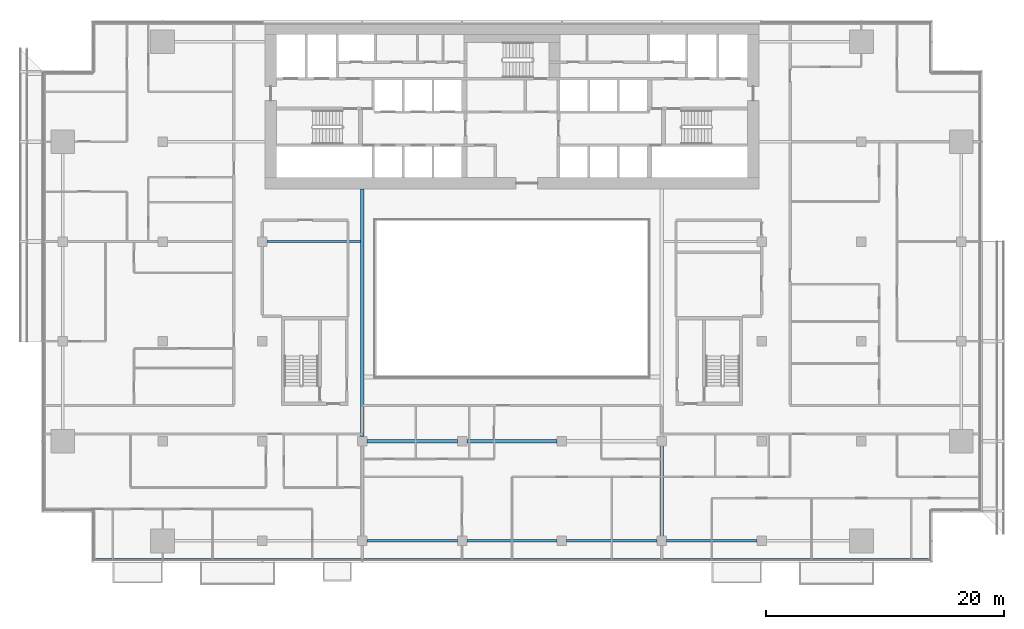
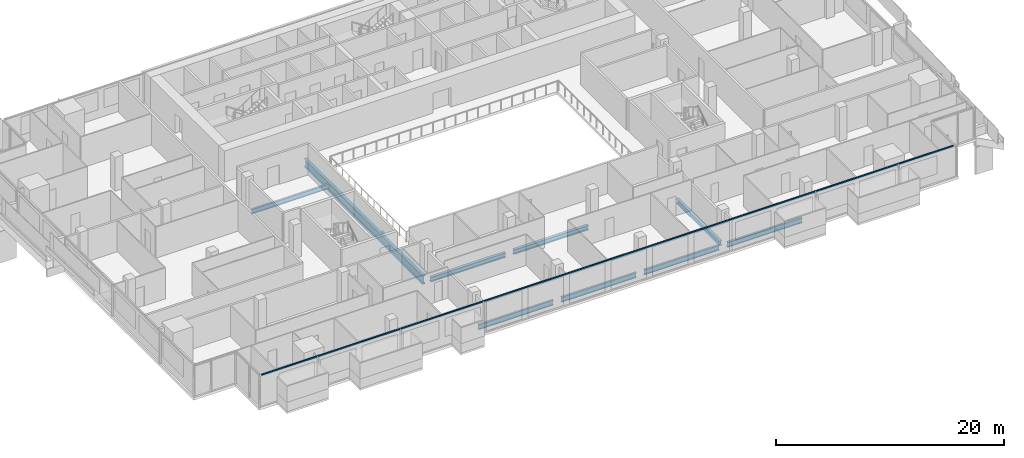
# One storey, part 5 of 27: 9 beams, 1 member, 1 element without a shape of its own.
"""IFC4 building model written with IfcOpenShell, lengths in metres."""

import ifcopenshell
import ifcopenshell.guid

model = None  # the IFC model being written
_history = None  # IfcOwnerHistory: only IFC2X3 demands one
_inside = {}  # id of a spatial element -> (the spatial element, [elements in it])
_under = {}  # id of a project, library or spatial element -> (it, [spatial elements below it])
_declared = {}  # id of a project -> (the project, [libraries it declares])
_typed = {}  # id of a type object -> (the type object, [elements of that type])
_made_of = {}  # id of a material, layer set ... -> (it, [elements and type objects made of it])


def new_model(schema):
    """Start an empty IFC model of exactly this schema.

    Asked for "IFC4X3", IfcOpenShell would pick the latest addendum, in which some entities
    have other attributes; the version numbers below select the first issue.
    IFC2X3 requires an IfcOwnerHistory on every rooted entity: one is made here for all.
    """
    global model, _history
    if schema == "IFC4X3":
        model = ifcopenshell.file(schema_version=(4, 3, 0, 0))
    else:
        model = ifcopenshell.file(schema=schema)
    _inside.clear()
    _under.clear()
    _declared.clear()
    _typed.clear()
    _made_of.clear()
    _history = None
    if model.schema == "IFC2X3":
        org = make("IfcOrganization", Name="unknown")
        user = make(
            "IfcPersonAndOrganization",
            ThePerson=make("IfcPerson", FamilyName="unknown"),
            TheOrganization=org,
        )
        app = make(
            "IfcApplication",
            ApplicationDeveloper=org,
            Version="unknown",
            ApplicationFullName="unknown",
            ApplicationIdentifier="unknown",
        )
        _history = make(
            "IfcOwnerHistory",
            OwningUser=user,
            OwningApplication=app,
            ChangeAction="ADDED",
            CreationDate=0,
        )
    return model


def make(cls, **values):
    """One entity of the class cls with the attributes given. An attribute that is None is left unset."""
    return model.create_entity(
        cls, **{name: value for name, value in values.items() if value is not None}
    )


def rooted(cls, **values):
    """An entity with a GlobalId (a new one), such as an element, a storey or a relation."""
    return make(cls, GlobalId=ifcopenshell.guid.new(), OwnerHistory=_history, **values)


def si_unit(unit_type, name, prefix=None):
    """IfcSIUnit, for example si_unit("LENGTHUNIT", "METRE", prefix="MILLI")."""
    return make("IfcSIUnit", UnitType=unit_type, Prefix=prefix, Name=name)


def assignment(units):
    """IfcUnitAssignment: the units of a project."""
    return None if units is None else make("IfcUnitAssignment", Units=units)


def point(xyz):
    """IfcCartesianPoint."""
    return None if xyz is None else make("IfcCartesianPoint", Coordinates=xyz)


def direction(xyz):
    """IfcDirection."""
    return None if xyz is None else make("IfcDirection", DirectionRatios=xyz)


def frame(location, z_axis=None, x_axis=None):
    """IfcAxis2Placement3D, a coordinate frame: its origin and axes. An axis left out is left unset."""
    return make(
        "IfcAxis2Placement3D",
        Location=point(location),
        Axis=direction(z_axis),
        RefDirection=direction(x_axis),
    )


def frame_2d(location, x_axis=None):
    """IfcAxis2Placement2D, a coordinate frame in the plane: its origin and x axis."""
    return make(
        "IfcAxis2Placement2D", Location=point(location), RefDirection=direction(x_axis)
    )


def origin():
    """The frame at (0, 0, 0) with its axes left unset."""
    return frame((0.0, 0.0, 0.0))


def origin_2d():
    """The frame at (0, 0) in the plane with its x axis left unset."""
    return frame_2d((0.0, 0.0))


def place(relative_to, where):
    """IfcLocalPlacement: puts the frame where relative to a parent placement (None: the world)."""
    return make(
        "IfcLocalPlacement", PlacementRelTo=relative_to, RelativePlacement=where
    )


def context(
    kind, dimensions, precision=None, world=None, true_north=None, identifier=None
):
    """IfcGeometricRepresentationContext, for example the 3D "Model" context."""
    return make(
        "IfcGeometricRepresentationContext",
        ContextIdentifier=identifier,
        ContextType=kind,
        CoordinateSpaceDimension=dimensions,
        Precision=precision,
        WorldCoordinateSystem=world,
        TrueNorth=true_north,
    )


def subcontext(parent, identifier, kind, view, scale=None):
    """IfcGeometricRepresentationSubContext, for example "Body" below "Model"."""
    return make(
        "IfcGeometricRepresentationSubContext",
        ContextIdentifier=identifier,
        ContextType=kind,
        ParentContext=parent,
        TargetScale=scale,
        TargetView=view,
    )


def project(units=None, contexts=None):
    """IfcProject with its units and contexts."""
    return rooted(
        "IfcProject",
        Name="project",
        RepresentationContexts=contexts,
        UnitsInContext=assignment(units),
    )


def spatial(cls, under=None, at=None, **own):
    """A site, building, storey or space (cls), placed at a placement, below another one or the project."""
    s = rooted(cls, ObjectPlacement=at, **own)
    if under is not None:
        _under.setdefault(under.id(), (under, []))[1].append(s)
    return s


def profile(cls, at=None, kind="AREA", **sizes):
    """A parametric profile (cls). Its sizes go by their IFC names, for example OverallWidth=200.0."""
    return make(cls, ProfileType=kind, Position=at, **sizes)


def rectangle(**sizes):
    """IfcRectangleProfileDef."""
    return profile("IfcRectangleProfileDef", **sizes)


def i_section(**sizes):
    """IfcIShapeProfileDef."""
    return profile("IfcIShapeProfileDef", **sizes)


def extrude(swept, where, along, depth):
    """IfcExtrudedAreaSolid: the profile swept, set in the frame where, extruded along a direction by depth."""
    return make(
        "IfcExtrudedAreaSolid",
        SweptArea=swept,
        Position=where,
        ExtrudedDirection=direction(along),
        Depth=depth,
    )


def shape(context_of_items, identifier, shape_type, items):
    """IfcShapeRepresentation: the items that make up one representation, for example the "Body"."""
    return make(
        "IfcShapeRepresentation",
        ContextOfItems=context_of_items,
        RepresentationIdentifier=identifier,
        RepresentationType=shape_type,
        Items=items,
    )


def material(Name=None, Category=None):
    """IfcMaterial."""
    return make("IfcMaterial", Name=Name, Category=Category)


def material_profile(
    of_material, cross_section, Name=None, Category=None, Priority=None
):
    """IfcMaterialProfile: a cross section and its material."""
    return make(
        "IfcMaterialProfile",
        Name=Name,
        Material=of_material,
        Profile=cross_section,
        Priority=Priority,
        Category=Category,
    )


def profile_set(profiles, Name=None, composite=None):
    """IfcMaterialProfileSet."""
    return make(
        "IfcMaterialProfileSet",
        Name=Name,
        MaterialProfiles=profiles,
        CompositeProfile=composite,
    )


def made_of(thing, what):
    """Note that an element or type object is made of a material, layer set ...; save() writes the relation."""
    if what is not None:
        _made_of.setdefault(what.id(), (what, []))[1].append(thing)
    return thing


def type_object(cls, material=None, **own):
    """A type object (cls), such as IfcWallType, which elements share."""
    return made_of(rooted(cls, **own), material)


def element(
    cls,
    number,
    at=None,
    inside=None,
    cuts=None,
    type_object=None,
    material=None,
    context=None,
    identifier="Body",
    shape_type=None,
    held_by="IfcProductDefinitionShape",
    body=None,
    shapes=None,
    **own,
):
    """One element of the class cls, such as IfcWall. Its Tag is "e" and its number.

    at: its placement. inside: the storey or other place that contains it. cuts: it is an
    opening in that element (IfcRelVoidsElement). A single representation is given by context,
    identifier, shape_type and body (its items); several are given by shapes. held_by: the class
    of the entity that holds the representations. save() writes the other relations.
    """
    e = rooted(cls, Tag="e%d" % number, ObjectPlacement=at, **own)
    if body is not None:
        shapes = [shape(context, identifier, shape_type, body)]
    if shapes is not None:
        e.Representation = make(held_by, Representations=shapes)
    if inside is not None:
        _inside.setdefault(inside.id(), (inside, []))[1].append(e)
    if cuts is not None:
        rooted(
            "IfcRelVoidsElement", RelatingBuildingElement=cuts, RelatedOpeningElement=e
        )
    if type_object is not None:
        _typed.setdefault(type_object.id(), (type_object, []))[1].append(e)
    return made_of(e, material)


def aggregate(whole, parts):
    """IfcRelAggregates: a whole, such as a stair, and the parts it consists of."""
    return rooted("IfcRelAggregates", RelatingObject=whole, RelatedObjects=parts)


def save(model, path):
    """Write the relations noted so far, then the file.

    IfcRelAggregates (storeys below a building ...), IfcRelContainedInSpatialStructure (elements
    in a storey), IfcRelDefinesByType, IfcRelAssociatesMaterial and IfcRelDeclares: one each for
    every whole, place, type object, material and project.
    """
    for whole, parts in _under.values():
        aggregate(whole, parts)
    for where, things in _inside.values():
        rooted(
            "IfcRelContainedInSpatialStructure",
            RelatedElements=things,
            RelatingStructure=where,
        )
    for kind, things in _typed.values():
        rooted("IfcRelDefinesByType", RelatedObjects=things, RelatingType=kind)
    for what, things in _made_of.values():
        rooted("IfcRelAssociatesMaterial", RelatedObjects=things, RelatingMaterial=what)
    for by, libraries in _declared.values():
        rooted("IfcRelDeclares", RelatingContext=by, RelatedDefinitions=libraries)
    model.write(path)


model = new_model("IFC4")

# Units and contexts
model_context = context("Model", 3, precision=1e-05, world=origin(), true_north=direction((0.0, 1.0)))
body_context = subcontext(model_context, "Body", "Model", "MODEL_VIEW")
ifc_project = project(units=[si_unit("LENGTHUNIT", "METRE"), si_unit("AREAUNIT", "SQUARE_METRE"), si_unit("VOLUMEUNIT", "CUBIC_METRE"), si_unit("PLANEANGLEUNIT", "RADIAN"), si_unit("MASSUNIT", "GRAM", prefix="KILO")], contexts=[model_context])

# Site, building, storey
site_placement = place(None, origin())
site = spatial("IfcSite", under=ifc_project, at=site_placement, CompositionType="ELEMENT")
building_placement = place(site_placement, origin())
building = spatial("IfcBuilding", under=site, at=building_placement, Name="Saffron Gate Tower", CompositionType="ELEMENT")
storey_placement = place(building_placement, frame((0.0, 0.0, 109.64990234375)))
storey = spatial("IfcBuildingStorey", under=building, at=storey_placement, Name="L25", CompositionType="ELEMENT", Elevation=109.64990234375)

# Beams
ifc_material_1 = material(Name="Structural steel S355", Category="steel")
ifc_material_profile_1 = material_profile(ifc_material_1, i_section(OverallWidth=0.199951171875, OverallDepth=0.5, WebThickness=0.01025390625, FlangeThickness=0.01611328125, FilletRadius=0.02099609375, at=origin_2d()))
ifc_profile_set_1 = profile_set([ifc_material_profile_1], Name="Structural steel S355")
beam_type_1 = type_object("IfcBeamType", Name="B10 IPE 500", PredefinedType="BEAM", material=ifc_profile_set_1)
beam_1_placement = place(storey_placement, frame((67.0, 57.0, -0.52978515625), z_axis=(1.0, 0.0, 0.0), x_axis=(0.0, 1.0, 0.0)))
element("IfcBeam", 1, at=beam_1_placement, inside=storey, type_object=beam_type_1, Name="B10 CORE TIE BEAM", PredefinedType="BEAM", context=body_context, shape_type="SweptSolid", body=[
    extrude(i_section(OverallWidth=0.199951171875, OverallDepth=0.5, WebThickness=0.01025390625, FlangeThickness=0.01611328125, FilletRadius=0.02099609375, at=origin_2d()), origin(), (0.0, 0.0, 1.0), 7.85009765625),
])
ifc_material_profile_2 = material_profile(ifc_material_1, i_section(OverallWidth=0.2099609375, OverallDepth=0.550048828125, WebThickness=0.010986328125, FlangeThickness=0.01708984375, FilletRadius=0.02392578125, at=origin_2d()))
ifc_profile_set_2 = profile_set([ifc_material_profile_2], Name="Structural steel S355")
beam_type_2 = type_object("IfcBeamType", Name="B13 IPE 550", PredefinedType="SPANDREL", material=ifc_profile_set_2)
beam_2_placement = place(storey_placement, frame((75.39990234375, 31.800048828125, -0.554931640625), z_axis=(1.0, 0.0, 0.0), x_axis=(0.0, 1.0, 0.0)))
element("IfcBeam", 2, at=beam_2_placement, inside=storey, type_object=beam_type_2, Name="B13 SPANDREL BEAM", PredefinedType="SPANDREL", context=body_context, shape_type="SweptSolid", body=[
    extrude(i_section(OverallWidth=0.2099609375, OverallDepth=0.550048828125, WebThickness=0.010986328125, FlangeThickness=0.01708984375, FilletRadius=0.02392578125, at=origin_2d()), origin(), (0.0, 0.0, 1.0), 7.60009765625),
])
beam_3_placement = place(storey_placement, frame((83.800048828125, 31.800048828125, -0.554931640625), z_axis=(1.0, 0.0, 0.0), x_axis=(0.0, 1.0, 0.0)))
element("IfcBeam", 3, at=beam_3_placement, inside=storey, type_object=beam_type_2, Name="B13 SPANDREL BEAM", PredefinedType="SPANDREL", context=body_context, shape_type="SweptSolid", body=[
    extrude(i_section(OverallWidth=0.2099609375, OverallDepth=0.550048828125, WebThickness=0.010986328125, FlangeThickness=0.01708984375, FilletRadius=0.02392578125, at=origin_2d()), origin(), (0.0, 0.0, 1.0), 7.599853515625),
])
beam_4_placement = place(storey_placement, frame((92.199951171875, 31.800048828125, -0.554931640625), z_axis=(1.0, 0.0, 0.0), x_axis=(0.0, 1.0, 0.0)))
element("IfcBeam", 4, at=beam_4_placement, inside=storey, type_object=beam_type_2, Name="B13 SPANDREL BEAM", PredefinedType="SPANDREL", context=body_context, shape_type="SweptSolid", body=[
    extrude(i_section(OverallWidth=0.2099609375, OverallDepth=0.550048828125, WebThickness=0.010986328125, FlangeThickness=0.01708984375, FilletRadius=0.02392578125, at=origin_2d()), origin(), (0.0, 0.0, 1.0), 7.60009765625),
])
beam_5_placement = place(storey_placement, frame((100.60009765625, 31.800048828125, -0.554931640625), z_axis=(1.0, 0.0, 0.0), x_axis=(0.0, 1.0, 0.0)))
element("IfcBeam", 5, at=beam_5_placement, inside=storey, type_object=beam_type_2, Name="B13 SPANDREL BEAM", PredefinedType="SPANDREL", context=body_context, shape_type="SweptSolid", body=[
    extrude(i_section(OverallWidth=0.2099609375, OverallDepth=0.550048828125, WebThickness=0.010986328125, FlangeThickness=0.01708984375, FilletRadius=0.02392578125, at=origin_2d()), origin(), (0.0, 0.0, 1.0), 7.599853515625),
])
ifc_material_profile_3 = material_profile(ifc_material_1, i_section(OverallWidth=0.300048828125, OverallDepth=0.889892578125, WebThickness=0.01611328125, FlangeThickness=0.030029296875, FilletRadius=0.030029296875, at=origin_2d()))
ifc_profile_set_3 = profile_set([ifc_material_profile_3], Name="Structural steel S355")
beam_type_3 = type_object("IfcBeamType", Name="B19 HEA 900", PredefinedType="BEAM", material=ifc_profile_set_3)
beam_6_placement = place(storey_placement, frame((75.0, 40.60009765625, -0.724853515625), z_axis=(0.0, 1.0, 0.0), x_axis=(-1.0, 0.0, 0.0)))
element("IfcBeam", 6, at=beam_6_placement, inside=storey, type_object=beam_type_3, Name="B19 ATRIUM GIRDER", PredefinedType="BEAM", context=body_context, shape_type="SweptSolid", body=[
    extrude(i_section(OverallWidth=0.300048828125, OverallDepth=0.889892578125, WebThickness=0.01611328125, FlangeThickness=0.030029296875, FilletRadius=0.030029296875, at=origin_2d()), origin(), (0.0, 0.0, 1.0), 20.7998046875),
])
ifc_material_profile_4 = material_profile(ifc_material_1, i_section(OverallWidth=0.300048828125, OverallDepth=0.489990234375, WebThickness=0.011962890625, FlangeThickness=0.02294921875, FilletRadius=0.027099609375, at=origin_2d()))
ifc_profile_set_4 = profile_set([ifc_material_profile_4], Name="Structural steel S355")
beam_type_4 = type_object("IfcBeamType", Name="B8 HEA 500", PredefinedType="BEAM", material=ifc_profile_set_4)
for number, where, z_axis, x_axis, name in (
    (7, (100.199951171875, 32.199951171875, -0.52490234375), (0.0, 1.0, 0.0), (-1.0, 0.0, 0.0), "B8 FLOOR GIRDER"),
    (8, (75.39990234375, 40.199951171875, -0.52490234375), (1.0, 0.0, 0.0), (0.0, 1.0, 0.0), "B8 FLOOR GIRDER"),
):
    element("IfcBeam", number, at=place(storey_placement, frame(where, z_axis=z_axis, x_axis=x_axis)), inside=storey, type_object=beam_type_4, Name=name, PredefinedType="BEAM", context=body_context, shape_type="SweptSolid", body=[
        extrude(i_section(OverallWidth=0.300048828125, OverallDepth=0.489990234375, WebThickness=0.011962890625, FlangeThickness=0.02294921875, FilletRadius=0.027099609375, at=origin_2d()), origin(), (0.0, 0.0, 1.0), 7.60009765625),
    ])
beam_7_placement = place(storey_placement, frame((83.800048828125, 40.199951171875, -0.52490234375), z_axis=(1.0, 0.0, 0.0), x_axis=(0.0, 1.0, 0.0)))
element("IfcBeam", 9, at=beam_7_placement, inside=storey, type_object=beam_type_4, Name="B8 FLOOR GIRDER", PredefinedType="BEAM", context=body_context, shape_type="SweptSolid", body=[
    extrude(i_section(OverallWidth=0.300048828125, OverallDepth=0.489990234375, WebThickness=0.011962890625, FlangeThickness=0.02294921875, FilletRadius=0.027099609375, at=origin_2d()), origin(), (0.0, 0.0, 1.0), 7.599853515625),
])

# Curtain wall, member
ifc_material_2 = material(Name="Aluminium, bronze anodised", Category="aluminium")
curtain_wall_type = type_object("IfcCurtainWallType", Name="CWS1 curtain wall front facade", PredefinedType="NOTDEFINED", material=ifc_material_2)
curtain_wall_placement = place(storey_placement, origin())
curtain_wall = element("IfcCurtainWall", 10, at=curtain_wall_placement, inside=storey, type_object=curtain_wall_type, Name="CWS1 run 1", PredefinedType="NOTDEFINED")
ifc_material_profile_5 = material_profile(ifc_material_2, rectangle(XDim=0.1201171875, YDim=0.1201171875, at=origin_2d()))
ifc_profile_set_5 = profile_set([ifc_material_profile_5], Name="Aluminium, bronze anodised")
member_type = type_object("IfcMemberType", Name="CWS1 head transom", PredefinedType="USERDEFINED", material=ifc_profile_set_5)
member_placement = place(storey_placement, frame((52.568115234375, 30.248046875, 3.260009765625), z_axis=(1.0, 0.0, 0.0), x_axis=(0.0, 1.0, 0.0)))
member = element("IfcMember", 11, at=member_placement, type_object=member_type, Name="CWS1 head transom", ObjectType="TRANSOM", PredefinedType="USERDEFINED", context=body_context, shape_type="SweptSolid", body=[
    extrude(rectangle(XDim=0.1201171875, YDim=0.1201171875, at=origin_2d()), origin(), (0.0, 0.0, 1.0), 70.06396484375),
])
aggregate(curtain_wall, [member])

save(model, "model.ifc")
